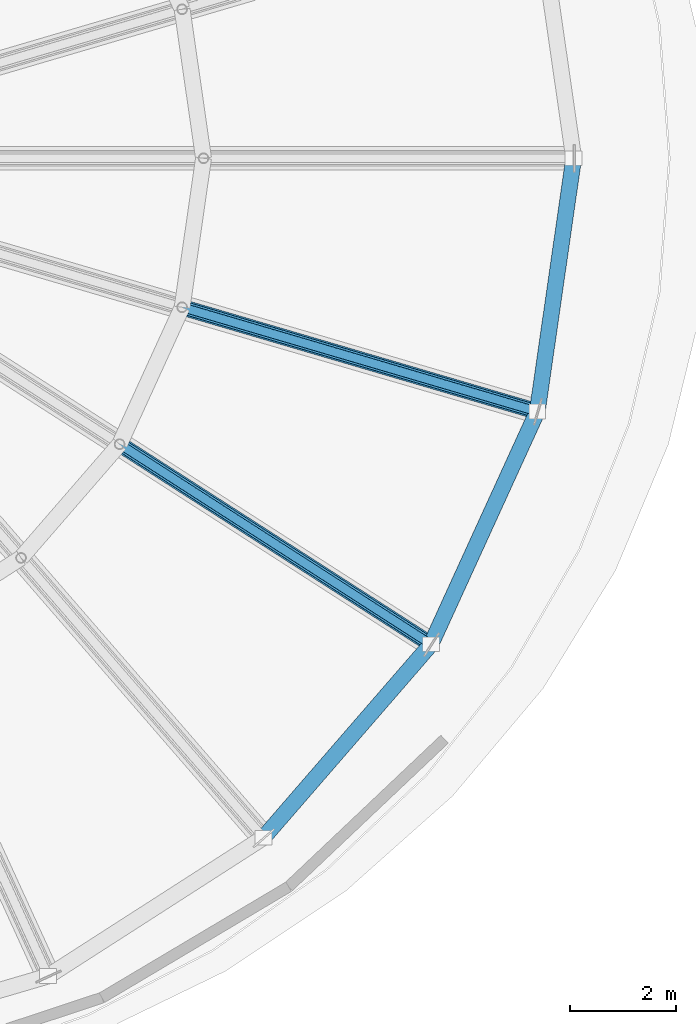
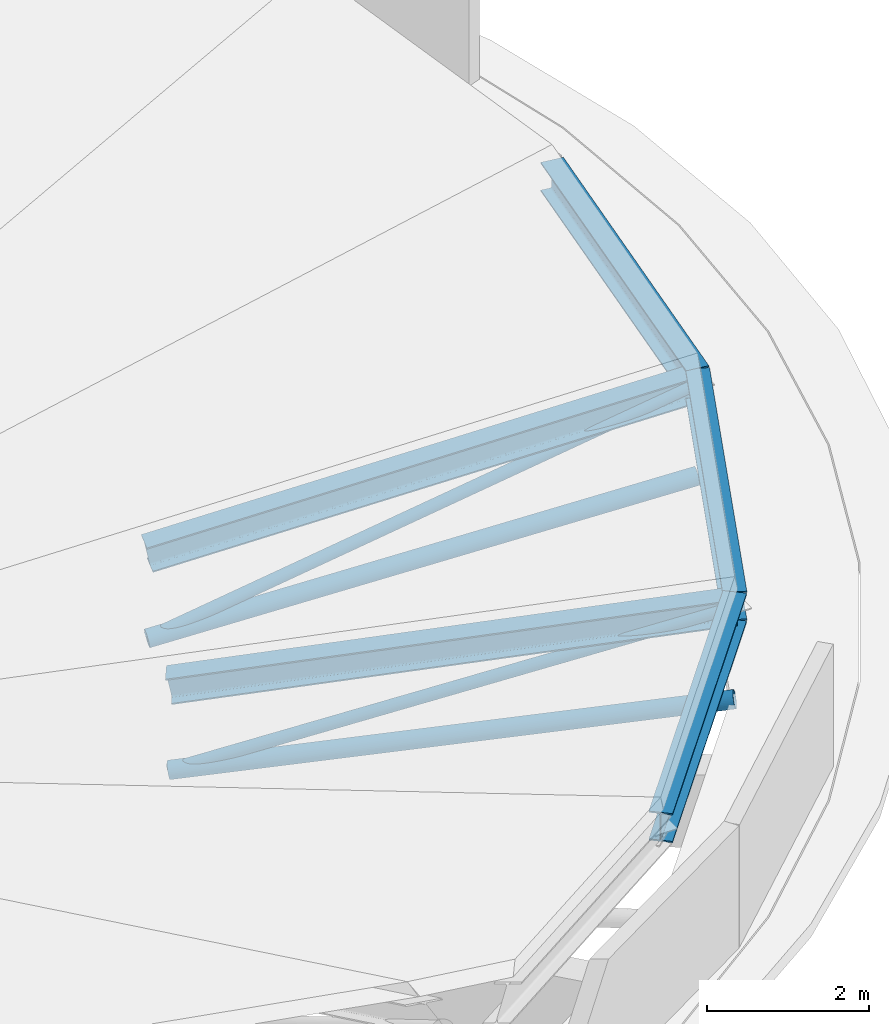
# One storey, part 5 of 69: 6 members, 3 beams.
"""IFC4 building model written with IfcOpenShell, lengths in metres."""

from ifc_helpers import new_model, si_unit, direction, frame, origin, origin_2d, place, context, subcontext, project, spatial, hollow_circle, i_section, extrude, material, material_profile, profile_set, type_object, element, save


model = new_model("IFC4")

# Units and contexts
model_context = context("Model", 3, precision=1e-05, world=origin(), true_north=direction((0.0, 1.0)))
body_context = subcontext(model_context, "Body", "Model", "MODEL_VIEW")
ifc_project = project(units=[si_unit("LENGTHUNIT", "METRE"), si_unit("AREAUNIT", "SQUARE_METRE"), si_unit("VOLUMEUNIT", "CUBIC_METRE"), si_unit("PLANEANGLEUNIT", "RADIAN"), si_unit("MASSUNIT", "GRAM", prefix="KILO")], contexts=[model_context])

# Site, building, storey
site_placement = place(None, origin())
site = spatial("IfcSite", under=ifc_project, at=site_placement, CompositionType="ELEMENT")
building_placement = place(site_placement, origin())
building = spatial("IfcBuilding", under=site, at=building_placement, Name="Pelvatis Terrace Science Centre", CompositionType="ELEMENT")
storey_placement = place(building_placement, frame((0.0, 0.0, 15.0)))
storey = spatial("IfcBuildingStorey", under=building, at=storey_placement, Name="L03", CompositionType="ELEMENT", Elevation=15.0)

# Beams
ifc_material_1 = material(Name="Structural steel S355", Category="steel")
ifc_material_profile_1 = material_profile(ifc_material_1, i_section(OverallWidth=0.300048828125, OverallDepth=0.43994140625, WebThickness=0.011474609375, FlangeThickness=0.02099609375, FilletRadius=0.027099609375, at=origin_2d()), Name="HEA 450")
ifc_profile_set_1 = profile_set([ifc_material_profile_1], Name="Structural steel S355")
beam_type = type_object("IfcBeamType", Name="BM-STL-HEA450", PredefinedType="BEAM", material=ifc_profile_set_1)
beam_1_placement = place(storey_placement, frame((89.132568359375, 41.752197265625, 1.39990234375), z_axis=(0.654849858597, 0.75575899776, 0.0), x_axis=(-0.75575899776, 0.654849858597, 0.0)))
element("IfcBeam", 1, at=beam_1_placement, inside=storey, type_object=beam_type, Name="Bowl roof circumferential out member 20", PredefinedType="BEAM", context=body_context, shape_type="SweptSolid", body=[
    extrude(i_section(OverallWidth=0.300048828125, OverallDepth=0.43994140625, WebThickness=0.011474609375, FlangeThickness=0.02099609375, FilletRadius=0.027099609375, at=origin_2d()), origin(), (0.0, 0.0, 1.0), 4.8388671875),
])
beam_2_placement = place(storey_placement, frame((92.30126953125, 45.4091796875, 1.39990234375), z_axis=(0.415410348173, 0.909634125696, 0.0), x_axis=(-0.909634125696, 0.415410348173, 0.0)))
element("IfcBeam", 2, at=beam_2_placement, inside=storey, type_object=beam_type, Name="Bowl roof circumferential out member 21", PredefinedType="BEAM", context=body_context, shape_type="SweptSolid", body=[
    extrude(i_section(OverallWidth=0.300048828125, OverallDepth=0.43994140625, WebThickness=0.011474609375, FlangeThickness=0.02099609375, FilletRadius=0.027099609375, at=origin_2d()), origin(), (0.0, 0.0, 1.0), 4.838623046875),
])
beam_3_placement = place(storey_placement, frame((94.311279296875, 49.810546875, 1.39990234375), z_axis=(0.142332506918, 0.989818901352, 0.0), x_axis=(-0.989818901352, 0.142332506918, 0.0)))
element("IfcBeam", 3, at=beam_3_placement, inside=storey, type_object=beam_type, Name="Bowl roof circumferential out member 22", PredefinedType="BEAM", context=body_context, shape_type="SweptSolid", body=[
    extrude(i_section(OverallWidth=0.300048828125, OverallDepth=0.43994140625, WebThickness=0.011474609375, FlangeThickness=0.02099609375, FilletRadius=0.027099609375, at=origin_2d()), origin(), (0.0, 0.0, 1.0), 4.8388671875),
])

# Members
ifc_material_2 = material(Name="Structural steel S355", Category="steel")
ifc_material_profile_2 = material_profile(ifc_material_2, hollow_circle(Radius=0.084228515625, WallThickness=0.00634765625, at=origin_2d()), Name="CHS 168.3x6.3")
ifc_profile_set_2 = profile_set([ifc_material_profile_2], Name="Structural steel S355")
member_type_1 = type_object("IfcMemberType", Name="MEM-BRC-CHS168", PredefinedType="BRACE", material=ifc_profile_set_2)
for number, where, z_axis, x_axis, name in (
    (4, (92.30126953125, 45.4091796875, 1.39990234375), (-0.78489078209, 0.504419237694, -0.359871772767), (-0.540641242766, -0.841253259501, 0.0), "Bowl truss web brace 21.3"),
    (5, (94.311279296875, 49.810546875, 1.39990234375), (-0.895205610631, 0.26286699101, -0.359872004652), (-0.281743319258, -0.959489813418, 0.0), "Bowl truss web brace 22.3"),
):
    element("IfcMember", number, at=place(storey_placement, frame(where, z_axis=z_axis, x_axis=x_axis)), inside=storey, type_object=member_type_1, Name=name, PredefinedType="BRACE", context=body_context, shape_type="SweptSolid", body=[
        extrude(hollow_circle(Radius=0.084228515625, WallThickness=0.00634765625, at=origin_2d()), origin(), (0.0, 0.0, 1.0), 7.50244140625),
    ])
ifc_material_3 = material(Name="Structural steel S355", Category="steel")
ifc_material_profile_3 = material_profile(ifc_material_3, hollow_circle(Radius=0.122314453125, WallThickness=0.010009765625, at=origin_2d()), Name="CHS 244.5x10.0")
ifc_profile_set_3 = profile_set([ifc_material_profile_3], Name="Structural steel S355")
member_type_2 = type_object("IfcMemberType", Name="MEM-CHD-CHS244", PredefinedType="CHORD", material=ifc_profile_set_3)
for number, where, z_axis, x_axis, name in (
    (6, (92.30126953125, 45.4091796875, 0.0), (-0.82710922043, 0.531551410692, -0.182601849038), (-0.540641242766, -0.841253259501, 0.0), "Bowl truss outer bottom chord 21"),
    (7, (94.311279296875, 49.810546875, 0.0), (-0.943357833134, 0.277006345913, -0.182601979696), (-0.281743319258, -0.959489813418, 0.0), "Bowl truss outer bottom chord 22"),
):
    element("IfcMember", number, at=place(storey_placement, frame(where, z_axis=z_axis, x_axis=x_axis)), inside=storey, type_object=member_type_2, Name=name, PredefinedType="CHORD", context=body_context, shape_type="SweptSolid", body=[
        extrude(hollow_circle(Radius=0.122314453125, WallThickness=0.010009765625, at=origin_2d()), origin(), (0.0, 0.0, 1.0), 7.11962890625),
    ])
ifc_material_4 = material(Name="Structural steel S355", Category="steel")
ifc_material_profile_4 = material_profile(ifc_material_4, i_section(OverallWidth=0.300048828125, OverallDepth=0.389892578125, WebThickness=0.010986328125, FlangeThickness=0.01904296875, FilletRadius=0.027099609375, at=origin_2d()), Name="HEA 400")
ifc_profile_set_4 = profile_set([ifc_material_profile_4], Name="Structural steel S355")
member_type_3 = type_object("IfcMemberType", Name="MEM-CHD-HEA400", PredefinedType="CHORD", material=ifc_profile_set_4)
for number, where, z_axis, x_axis, name in (
    (8, (92.30126953125, 45.4091796875, 1.39990234375), (-0.824461814011, 0.529850024004, -0.198800576712), (-0.540641242766, -0.841253259501, 0.0), "Bowl truss outer top chord 21"),
    (9, (94.311279296875, 49.810546875, 1.39990234375), (-0.940338334526, 0.276119704337, -0.198800718052), (-0.281743319258, -0.959489813418, 0.0), "Bowl truss outer top chord 22"),
):
    element("IfcMember", number, at=place(storey_placement, frame(where, z_axis=z_axis, x_axis=x_axis)), inside=storey, type_object=member_type_3, Name=name, PredefinedType="CHORD", context=body_context, shape_type="SweptSolid", body=[
        extrude(i_section(OverallWidth=0.300048828125, OverallDepth=0.389892578125, WebThickness=0.010986328125, FlangeThickness=0.01904296875, FilletRadius=0.027099609375, at=origin_2d()), origin(), (0.0, 0.0, 1.0), 7.142333984375),
    ])

save(model, "model.ifc")
